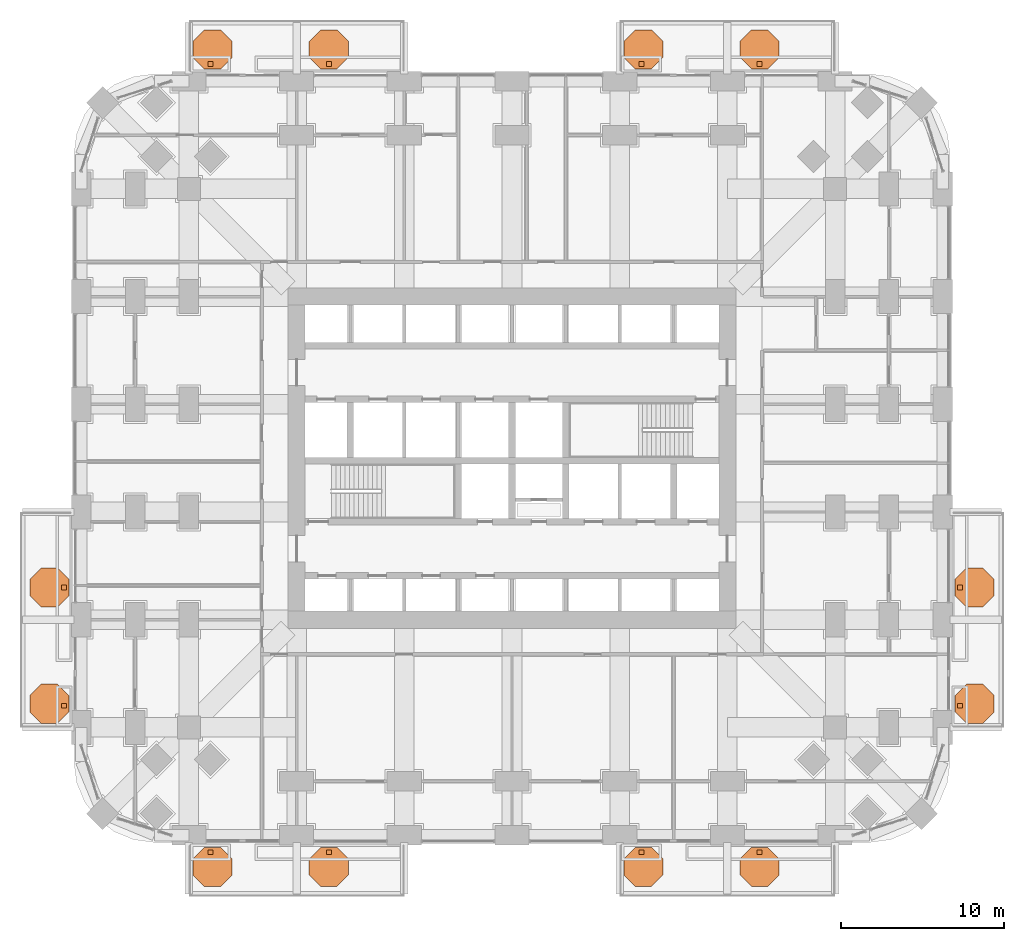
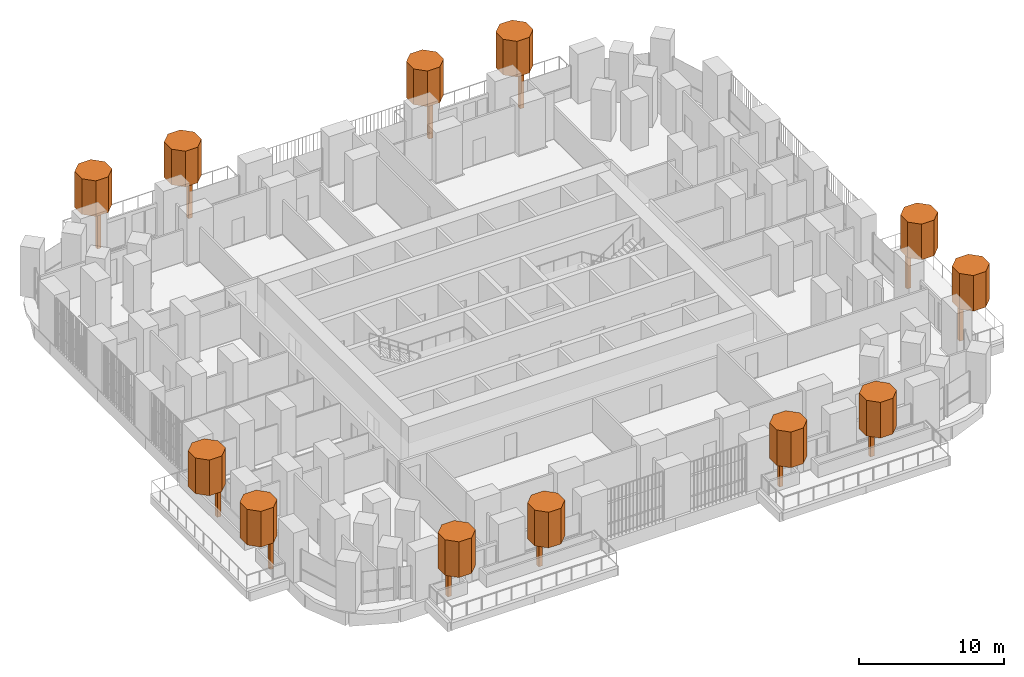
# One storey, part 27 of 27: 24 geographic elements.
"""IFC4 building model written with IfcOpenShell, lengths in metres."""

import ifcopenshell
import ifcopenshell.guid

model = None  # the IFC model being written
_history = None  # IfcOwnerHistory: only IFC2X3 demands one
_inside = {}  # id of a spatial element -> (the spatial element, [elements in it])
_under = {}  # id of a project, library or spatial element -> (it, [spatial elements below it])
_declared = {}  # id of a project -> (the project, [libraries it declares])
_typed = {}  # id of a type object -> (the type object, [elements of that type])
_made_of = {}  # id of a material, layer set ... -> (it, [elements and type objects made of it])


def new_model(schema):
    """Start an empty IFC model of exactly this schema.

    Asked for "IFC4X3", IfcOpenShell would pick the latest addendum, in which some entities
    have other attributes; the version numbers below select the first issue.
    IFC2X3 requires an IfcOwnerHistory on every rooted entity: one is made here for all.
    """
    global model, _history
    if schema == "IFC4X3":
        model = ifcopenshell.file(schema_version=(4, 3, 0, 0))
    else:
        model = ifcopenshell.file(schema=schema)
    _inside.clear()
    _under.clear()
    _declared.clear()
    _typed.clear()
    _made_of.clear()
    _history = None
    if model.schema == "IFC2X3":
        org = make("IfcOrganization", Name="unknown")
        user = make(
            "IfcPersonAndOrganization",
            ThePerson=make("IfcPerson", FamilyName="unknown"),
            TheOrganization=org,
        )
        app = make(
            "IfcApplication",
            ApplicationDeveloper=org,
            Version="unknown",
            ApplicationFullName="unknown",
            ApplicationIdentifier="unknown",
        )
        _history = make(
            "IfcOwnerHistory",
            OwningUser=user,
            OwningApplication=app,
            ChangeAction="ADDED",
            CreationDate=0,
        )
    return model


def make(cls, **values):
    """One entity of the class cls with the attributes given. An attribute that is None is left unset."""
    return model.create_entity(
        cls, **{name: value for name, value in values.items() if value is not None}
    )


def rooted(cls, **values):
    """An entity with a GlobalId (a new one), such as an element, a storey or a relation."""
    return make(cls, GlobalId=ifcopenshell.guid.new(), OwnerHistory=_history, **values)


def si_unit(unit_type, name, prefix=None):
    """IfcSIUnit, for example si_unit("LENGTHUNIT", "METRE", prefix="MILLI")."""
    return make("IfcSIUnit", UnitType=unit_type, Prefix=prefix, Name=name)


def assignment(units):
    """IfcUnitAssignment: the units of a project."""
    return None if units is None else make("IfcUnitAssignment", Units=units)


def point(xyz):
    """IfcCartesianPoint."""
    return None if xyz is None else make("IfcCartesianPoint", Coordinates=xyz)


def direction(xyz):
    """IfcDirection."""
    return None if xyz is None else make("IfcDirection", DirectionRatios=xyz)


def frame(location, z_axis=None, x_axis=None):
    """IfcAxis2Placement3D, a coordinate frame: its origin and axes. An axis left out is left unset."""
    return make(
        "IfcAxis2Placement3D",
        Location=point(location),
        Axis=direction(z_axis),
        RefDirection=direction(x_axis),
    )


def frame_2d(location, x_axis=None):
    """IfcAxis2Placement2D, a coordinate frame in the plane: its origin and x axis."""
    return make(
        "IfcAxis2Placement2D", Location=point(location), RefDirection=direction(x_axis)
    )


def origin():
    """The frame at (0, 0, 0) with its axes left unset."""
    return frame((0.0, 0.0, 0.0))


def origin_2d():
    """The frame at (0, 0) in the plane with its x axis left unset."""
    return frame_2d((0.0, 0.0))


def place(relative_to, where):
    """IfcLocalPlacement: puts the frame where relative to a parent placement (None: the world)."""
    return make(
        "IfcLocalPlacement", PlacementRelTo=relative_to, RelativePlacement=where
    )


def context(
    kind, dimensions, precision=None, world=None, true_north=None, identifier=None
):
    """IfcGeometricRepresentationContext, for example the 3D "Model" context."""
    return make(
        "IfcGeometricRepresentationContext",
        ContextIdentifier=identifier,
        ContextType=kind,
        CoordinateSpaceDimension=dimensions,
        Precision=precision,
        WorldCoordinateSystem=world,
        TrueNorth=true_north,
    )


def subcontext(parent, identifier, kind, view, scale=None):
    """IfcGeometricRepresentationSubContext, for example "Body" below "Model"."""
    return make(
        "IfcGeometricRepresentationSubContext",
        ContextIdentifier=identifier,
        ContextType=kind,
        ParentContext=parent,
        TargetScale=scale,
        TargetView=view,
    )


def project(units=None, contexts=None):
    """IfcProject with its units and contexts."""
    return rooted(
        "IfcProject",
        Name="project",
        RepresentationContexts=contexts,
        UnitsInContext=assignment(units),
    )


def spatial(cls, under=None, at=None, **own):
    """A site, building, storey or space (cls), placed at a placement, below another one or the project."""
    s = rooted(cls, ObjectPlacement=at, **own)
    if under is not None:
        _under.setdefault(under.id(), (under, []))[1].append(s)
    return s


def polyline(points):
    """IfcPolyline through the points."""
    return make("IfcPolyline", Points=[point(p) for p in points])


def profile(cls, at=None, kind="AREA", **sizes):
    """A parametric profile (cls). Its sizes go by their IFC names, for example OverallWidth=200.0."""
    return make(cls, ProfileType=kind, Position=at, **sizes)


def rectangle(**sizes):
    """IfcRectangleProfileDef."""
    return profile("IfcRectangleProfileDef", **sizes)


def outline(outer, holes=None, kind="AREA"):
    """IfcArbitraryClosedProfileDef: a profile drawn as a closed curve; with holes, ...WithVoids."""
    if holes is None:
        return make("IfcArbitraryClosedProfileDef", ProfileType=kind, OuterCurve=outer)
    return make(
        "IfcArbitraryProfileDefWithVoids",
        ProfileType=kind,
        OuterCurve=outer,
        InnerCurves=holes,
    )


def extrude(swept, where, along, depth):
    """IfcExtrudedAreaSolid: the profile swept, set in the frame where, extruded along a direction by depth."""
    return make(
        "IfcExtrudedAreaSolid",
        SweptArea=swept,
        Position=where,
        ExtrudedDirection=direction(along),
        Depth=depth,
    )


def shape(context_of_items, identifier, shape_type, items):
    """IfcShapeRepresentation: the items that make up one representation, for example the "Body"."""
    return make(
        "IfcShapeRepresentation",
        ContextOfItems=context_of_items,
        RepresentationIdentifier=identifier,
        RepresentationType=shape_type,
        Items=items,
    )


def material(Name=None, Category=None):
    """IfcMaterial."""
    return make("IfcMaterial", Name=Name, Category=Category)


def made_of(thing, what):
    """Note that an element or type object is made of a material, layer set ...; save() writes the relation."""
    if what is not None:
        _made_of.setdefault(what.id(), (what, []))[1].append(thing)
    return thing


def type_object(cls, material=None, **own):
    """A type object (cls), such as IfcWallType, which elements share."""
    return made_of(rooted(cls, **own), material)


def element(
    cls,
    number,
    at=None,
    inside=None,
    cuts=None,
    type_object=None,
    material=None,
    context=None,
    identifier="Body",
    shape_type=None,
    held_by="IfcProductDefinitionShape",
    body=None,
    shapes=None,
    **own,
):
    """One element of the class cls, such as IfcWall. Its Tag is "e" and its number.

    at: its placement. inside: the storey or other place that contains it. cuts: it is an
    opening in that element (IfcRelVoidsElement). A single representation is given by context,
    identifier, shape_type and body (its items); several are given by shapes. held_by: the class
    of the entity that holds the representations. save() writes the other relations.
    """
    e = rooted(cls, Tag="e%d" % number, ObjectPlacement=at, **own)
    if body is not None:
        shapes = [shape(context, identifier, shape_type, body)]
    if shapes is not None:
        e.Representation = make(held_by, Representations=shapes)
    if inside is not None:
        _inside.setdefault(inside.id(), (inside, []))[1].append(e)
    if cuts is not None:
        rooted(
            "IfcRelVoidsElement", RelatingBuildingElement=cuts, RelatedOpeningElement=e
        )
    if type_object is not None:
        _typed.setdefault(type_object.id(), (type_object, []))[1].append(e)
    return made_of(e, material)


def aggregate(whole, parts):
    """IfcRelAggregates: a whole, such as a stair, and the parts it consists of."""
    return rooted("IfcRelAggregates", RelatingObject=whole, RelatedObjects=parts)


def save(model, path):
    """Write the relations noted so far, then the file.

    IfcRelAggregates (storeys below a building ...), IfcRelContainedInSpatialStructure (elements
    in a storey), IfcRelDefinesByType, IfcRelAssociatesMaterial and IfcRelDeclares: one each for
    every whole, place, type object, material and project.
    """
    for whole, parts in _under.values():
        aggregate(whole, parts)
    for where, things in _inside.values():
        rooted(
            "IfcRelContainedInSpatialStructure",
            RelatedElements=things,
            RelatingStructure=where,
        )
    for kind, things in _typed.values():
        rooted("IfcRelDefinesByType", RelatedObjects=things, RelatingType=kind)
    for what, things in _made_of.values():
        rooted("IfcRelAssociatesMaterial", RelatedObjects=things, RelatingMaterial=what)
    for by, libraries in _declared.values():
        rooted("IfcRelDeclares", RelatingContext=by, RelatedDefinitions=libraries)
    model.write(path)


model = new_model("IFC4")

# Units and contexts
model_context = context("Model", 3, precision=1e-05, world=origin(), true_north=direction((0.0, 1.0)))
body_context = subcontext(model_context, "Body", "Model", "MODEL_VIEW")
ifc_project = project(units=[si_unit("LENGTHUNIT", "METRE"), si_unit("AREAUNIT", "SQUARE_METRE"), si_unit("VOLUMEUNIT", "CUBIC_METRE"), si_unit("PLANEANGLEUNIT", "RADIAN"), si_unit("MASSUNIT", "GRAM", prefix="KILO")], contexts=[model_context])

# Site, building, storey
site_placement = place(None, origin())
site = spatial("IfcSite", under=ifc_project, at=site_placement, CompositionType="ELEMENT")
building_placement = place(site_placement, origin())
building = spatial("IfcBuilding", under=site, at=building_placement, Name="Cobogo Forest Laboratory Tower", CompositionType="ELEMENT")
storey_placement = place(building_placement, frame((0.0, 0.0, 29.699951171875)))
storey = spatial("IfcBuildingStorey", under=building, at=storey_placement, Name="L06", CompositionType="ELEMENT", Elevation=29.699951171875)

# Geographic elements
ifc_material = material(Name="Planting", Category="plant")
geographic_element_type_1 = type_object("IfcGeographicElementType", Name="Tree trunk 300", PredefinedType="USERDEFINED", material=ifc_material)
for number, where, z_axis, x_axis, name in (
    (1, (7.925048828125, -1.050048828125, 0.0), (0.0, 0.0, 1.0), (1.0, 0.0, 0.0), "Tree trunk BAL-S1-PL1 L06"),
    (2, (15.175048828125, -1.050048828125, 0.0), (0.0, 0.0, 1.0), (1.0, 0.0, 0.0), "Tree trunk BAL-S1-PL2 L06"),
    (3, (34.324951171875, -1.050048828125, 0.0), (0.0, 0.0, 1.0), (1.0, 0.0, 0.0), "Tree trunk BAL-S2-PL1 L06"),
    (4, (41.574951171875, -1.050048828125, 0.0), (0.0, 0.0, 1.0), (1.0, 0.0, 0.0), "Tree trunk BAL-S2-PL2 L06"),
    (5, (53.85009765625, 7.925048828125, 0.0), (0.0, 0.0, 1.0), (1.0, 0.0, 0.0), "Tree trunk BAL-E1-PL1 L06"),
    (6, (53.85009765625, 15.175048828125, 0.0), (0.0, 0.0, 1.0), (1.0, 0.0, 0.0), "Tree trunk BAL-E1-PL2 L06"),
    (7, (7.925048828125, 47.25, 0.0), (0.0, 0.0, 1.0), (1.0, 0.0, 0.0), "Tree trunk BAL-N1-PL1 L06"),
    (8, (15.175048828125, 47.25, 0.0), (0.0, 0.0, 1.0), (1.0, 0.0, 0.0), "Tree trunk BAL-N1-PL2 L06"),
    (9, (34.324951171875, 47.25, 0.0), (0.0, 0.0, 1.0), (1.0, 0.0, 0.0), "Tree trunk BAL-N2-PL1 L06"),
    (10, (41.574951171875, 47.25, 0.0), (0.0, 0.0, 1.0), (1.0, 0.0, 0.0), "Tree trunk BAL-N2-PL2 L06"),
    (11, (-1.050048828125, 7.925048828125, 0.0), (0.0, 0.0, 1.0), (1.0, 0.0, 0.0), "Tree trunk BAL-W1-PL1 L06"),
    (12, (-1.050048828125, 15.175048828125, 0.0), (0.0, 0.0, 1.0), (1.0, 0.0, 0.0), "Tree trunk BAL-W1-PL2 L06"),
):
    element("IfcGeographicElement", number, at=place(storey_placement, frame(where, z_axis=z_axis, x_axis=x_axis)), inside=storey, type_object=geographic_element_type_1, Name=name, ObjectType="TREE TRUNK", PredefinedType="USERDEFINED", context=body_context, shape_type="SweptSolid", body=[
        extrude(rectangle(XDim=0.300048828125, YDim=0.300048828125, at=origin_2d()), origin(), (0.0, 0.0, 1.0), 2.89990234375),
    ])
geographic_element_type_2 = type_object("IfcGeographicElementType", Name="Tree, holm oak 5 m", PredefinedType="USERDEFINED", material=ifc_material)
geographic_element_1_placement = place(storey_placement, frame((0.0, 0.0, 2.900146484375)))
element("IfcGeographicElement", 13, at=geographic_element_1_placement, inside=storey, type_object=geographic_element_type_2, Name="Holm tree BAL-S1-PL1 L06", ObjectType="TREE", PredefinedType="USERDEFINED", context=body_context, shape_type="SweptSolid", body=[
    extrude(outline(polyline([(9.25, -2.447021484375), (9.25, -1.452880859375), (8.547119140625, -0.75), (7.552978515625, -0.75), (6.85009765625, -1.452880859375), (6.85009765625, -2.447021484375), (7.552978515625, -3.14990234375), (8.547119140625, -3.14990234375), (9.25, -2.447021484375)])), origin(), (0.0, 0.0, 1.0), 3.0),
])
geographic_element_2_placement = place(storey_placement, frame((0.0, 0.0, 2.900146484375)))
element("IfcGeographicElement", 14, at=geographic_element_2_placement, inside=storey, type_object=geographic_element_type_2, Name="Holm tree BAL-S1-PL2 L06", ObjectType="TREE", PredefinedType="USERDEFINED", context=body_context, shape_type="SweptSolid", body=[
    extrude(outline(polyline([(16.375, -2.447021484375), (16.375, -1.452880859375), (15.672119140625, -0.75), (14.677978515625, -0.75), (13.97509765625, -1.452880859375), (13.97509765625, -2.447021484375), (14.677978515625, -3.14990234375), (15.672119140625, -3.14990234375), (16.375, -2.447021484375)])), origin(), (0.0, 0.0, 1.0), 3.0),
])
geographic_element_3_placement = place(storey_placement, frame((0.0, 0.0, 2.900146484375)))
element("IfcGeographicElement", 15, at=geographic_element_3_placement, inside=storey, type_object=geographic_element_type_2, Name="Holm tree BAL-S2-PL1 L06", ObjectType="TREE", PredefinedType="USERDEFINED", context=body_context, shape_type="SweptSolid", body=[
    extrude(outline(polyline([(35.64990234375, -2.447021484375), (35.64990234375, -1.452880859375), (34.947021484375, -0.75), (33.952880859375, -0.75), (33.25, -1.452880859375), (33.25, -2.447021484375), (33.952880859375, -3.14990234375), (34.947021484375, -3.14990234375), (35.64990234375, -2.447021484375)])), origin(), (0.0, 0.0, 1.0), 3.0),
])
geographic_element_4_placement = place(storey_placement, frame((0.0, 0.0, 2.900146484375)))
element("IfcGeographicElement", 16, at=geographic_element_4_placement, inside=storey, type_object=geographic_element_type_2, Name="Holm tree BAL-S2-PL2 L06", ObjectType="TREE", PredefinedType="USERDEFINED", context=body_context, shape_type="SweptSolid", body=[
    extrude(outline(polyline([(42.77490234375, -2.447021484375), (42.77490234375, -1.452880859375), (42.072021484375, -0.75), (41.077880859375, -0.75), (40.375, -1.452880859375), (40.375, -2.447021484375), (41.077880859375, -3.14990234375), (42.072021484375, -3.14990234375), (42.77490234375, -2.447021484375)])), origin(), (0.0, 0.0, 1.0), 3.0),
])
geographic_element_5_placement = place(storey_placement, frame((0.0, 0.0, 2.900146484375)))
element("IfcGeographicElement", 17, at=geographic_element_5_placement, inside=storey, type_object=geographic_element_type_2, Name="Holm tree BAL-E1-PL1 L06", ObjectType="TREE", PredefinedType="USERDEFINED", context=body_context, shape_type="SweptSolid", body=[
    extrude(outline(polyline([(55.949951171875, 7.552978515625), (55.949951171875, 8.547119140625), (55.2470703125, 9.25), (54.2529296875, 9.25), (53.550048828125, 8.547119140625), (53.550048828125, 7.552978515625), (54.2529296875, 6.85009765625), (55.2470703125, 6.85009765625), (55.949951171875, 7.552978515625)])), origin(), (0.0, 0.0, 1.0), 3.0),
])
geographic_element_6_placement = place(storey_placement, frame((0.0, 0.0, 2.900146484375)))
element("IfcGeographicElement", 18, at=geographic_element_6_placement, inside=storey, type_object=geographic_element_type_2, Name="Holm tree BAL-E1-PL2 L06", ObjectType="TREE", PredefinedType="USERDEFINED", context=body_context, shape_type="SweptSolid", body=[
    extrude(outline(polyline([(55.949951171875, 14.677978515625), (55.949951171875, 15.672119140625), (55.2470703125, 16.375), (54.2529296875, 16.375), (53.550048828125, 15.672119140625), (53.550048828125, 14.677978515625), (54.2529296875, 13.97509765625), (55.2470703125, 13.97509765625), (55.949951171875, 14.677978515625)])), origin(), (0.0, 0.0, 1.0), 3.0),
])
geographic_element_7_placement = place(storey_placement, frame((0.0, 0.0, 2.900146484375)))
element("IfcGeographicElement", 19, at=geographic_element_7_placement, inside=storey, type_object=geographic_element_type_2, Name="Holm tree BAL-N1-PL1 L06", ObjectType="TREE", PredefinedType="USERDEFINED", context=body_context, shape_type="SweptSolid", body=[
    extrude(outline(polyline([(9.25, 47.65283203125), (9.25, 48.64697265625), (8.547119140625, 49.35009765625), (7.552978515625, 49.35009765625), (6.85009765625, 48.64697265625), (6.85009765625, 47.65283203125), (7.552978515625, 46.949951171875), (8.547119140625, 46.949951171875), (9.25, 47.65283203125)])), origin(), (0.0, 0.0, 1.0), 3.0),
])
geographic_element_8_placement = place(storey_placement, frame((0.0, 0.0, 2.900146484375)))
element("IfcGeographicElement", 20, at=geographic_element_8_placement, inside=storey, type_object=geographic_element_type_2, Name="Holm tree BAL-N1-PL2 L06", ObjectType="TREE", PredefinedType="USERDEFINED", context=body_context, shape_type="SweptSolid", body=[
    extrude(outline(polyline([(16.375, 47.65283203125), (16.375, 48.64697265625), (15.672119140625, 49.35009765625), (14.677978515625, 49.35009765625), (13.97509765625, 48.64697265625), (13.97509765625, 47.65283203125), (14.677978515625, 46.949951171875), (15.672119140625, 46.949951171875), (16.375, 47.65283203125)])), origin(), (0.0, 0.0, 1.0), 3.0),
])
geographic_element_9_placement = place(storey_placement, frame((0.0, 0.0, 2.900146484375)))
element("IfcGeographicElement", 21, at=geographic_element_9_placement, inside=storey, type_object=geographic_element_type_2, Name="Holm tree BAL-N2-PL1 L06", ObjectType="TREE", PredefinedType="USERDEFINED", context=body_context, shape_type="SweptSolid", body=[
    extrude(outline(polyline([(35.64990234375, 47.65283203125), (35.64990234375, 48.64697265625), (34.947021484375, 49.35009765625), (33.952880859375, 49.35009765625), (33.25, 48.64697265625), (33.25, 47.65283203125), (33.952880859375, 46.949951171875), (34.947021484375, 46.949951171875), (35.64990234375, 47.65283203125)])), origin(), (0.0, 0.0, 1.0), 3.0),
])
geographic_element_10_placement = place(storey_placement, frame((0.0, 0.0, 2.900146484375)))
element("IfcGeographicElement", 22, at=geographic_element_10_placement, inside=storey, type_object=geographic_element_type_2, Name="Holm tree BAL-N2-PL2 L06", ObjectType="TREE", PredefinedType="USERDEFINED", context=body_context, shape_type="SweptSolid", body=[
    extrude(outline(polyline([(42.77490234375, 47.65283203125), (42.77490234375, 48.64697265625), (42.072021484375, 49.35009765625), (41.077880859375, 49.35009765625), (40.375, 48.64697265625), (40.375, 47.65283203125), (41.077880859375, 46.949951171875), (42.072021484375, 46.949951171875), (42.77490234375, 47.65283203125)])), origin(), (0.0, 0.0, 1.0), 3.0),
])
geographic_element_11_placement = place(storey_placement, frame((0.0, 0.0, 2.900146484375)))
element("IfcGeographicElement", 23, at=geographic_element_11_placement, inside=storey, type_object=geographic_element_type_2, Name="Holm tree BAL-W1-PL1 L06", ObjectType="TREE", PredefinedType="USERDEFINED", context=body_context, shape_type="SweptSolid", body=[
    extrude(outline(polyline([(-0.75, 7.552978515625), (-0.75, 8.547119140625), (-1.452880859375, 9.25), (-2.447021484375, 9.25), (-3.14990234375, 8.547119140625), (-3.14990234375, 7.552978515625), (-2.447021484375, 6.85009765625), (-1.452880859375, 6.85009765625), (-0.75, 7.552978515625)])), origin(), (0.0, 0.0, 1.0), 3.0),
])
geographic_element_12_placement = place(storey_placement, frame((0.0, 0.0, 2.900146484375)))
element("IfcGeographicElement", 24, at=geographic_element_12_placement, inside=storey, type_object=geographic_element_type_2, Name="Holm tree BAL-W1-PL2 L06", ObjectType="TREE", PredefinedType="USERDEFINED", context=body_context, shape_type="SweptSolid", body=[
    extrude(outline(polyline([(-0.75, 14.677978515625), (-0.75, 15.672119140625), (-1.452880859375, 16.375), (-2.447021484375, 16.375), (-3.14990234375, 15.672119140625), (-3.14990234375, 14.677978515625), (-2.447021484375, 13.97509765625), (-1.452880859375, 13.97509765625), (-0.75, 14.677978515625)])), origin(), (0.0, 0.0, 1.0), 3.0),
])

save(model, "model.ifc")
